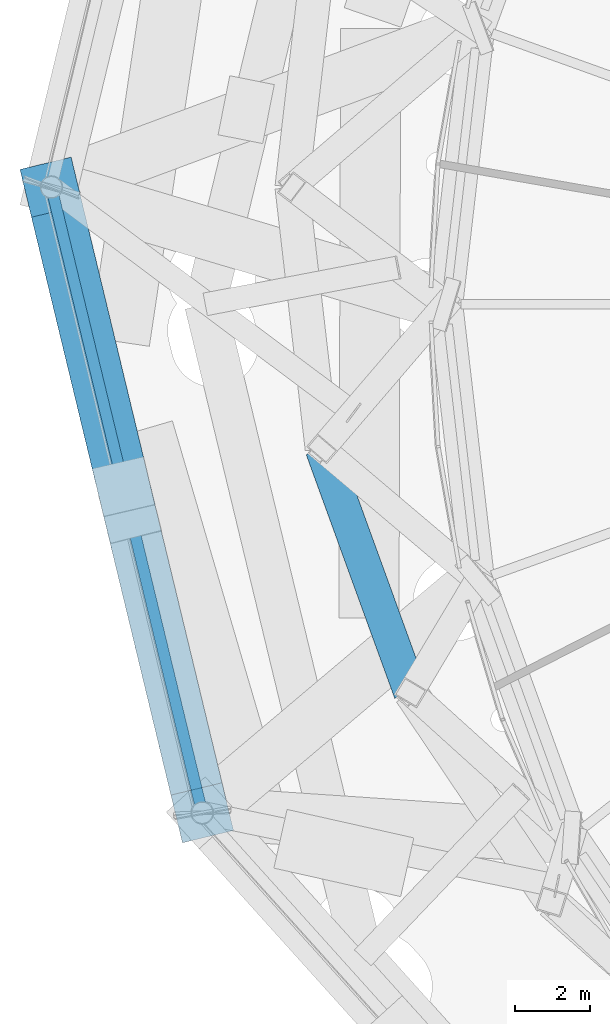
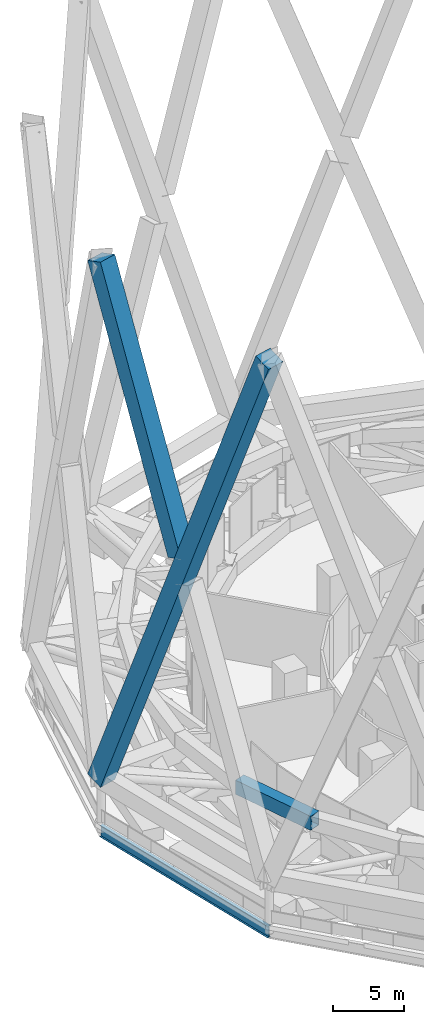
# One storey, part 10 of 60: 2 beams, 2 members.
"""IFC4 building model written with IfcOpenShell, lengths in metres."""

import ifcopenshell
import ifcopenshell.guid

model = None  # the IFC model being written
_history = None  # IfcOwnerHistory: only IFC2X3 demands one
_inside = {}  # id of a spatial element -> (the spatial element, [elements in it])
_under = {}  # id of a project, library or spatial element -> (it, [spatial elements below it])
_declared = {}  # id of a project -> (the project, [libraries it declares])
_typed = {}  # id of a type object -> (the type object, [elements of that type])
_made_of = {}  # id of a material, layer set ... -> (it, [elements and type objects made of it])


def new_model(schema):
    """Start an empty IFC model of exactly this schema.

    Asked for "IFC4X3", IfcOpenShell would pick the latest addendum, in which some entities
    have other attributes; the version numbers below select the first issue.
    IFC2X3 requires an IfcOwnerHistory on every rooted entity: one is made here for all.
    """
    global model, _history
    if schema == "IFC4X3":
        model = ifcopenshell.file(schema_version=(4, 3, 0, 0))
    else:
        model = ifcopenshell.file(schema=schema)
    _inside.clear()
    _under.clear()
    _declared.clear()
    _typed.clear()
    _made_of.clear()
    _history = None
    if model.schema == "IFC2X3":
        org = make("IfcOrganization", Name="unknown")
        user = make(
            "IfcPersonAndOrganization",
            ThePerson=make("IfcPerson", FamilyName="unknown"),
            TheOrganization=org,
        )
        app = make(
            "IfcApplication",
            ApplicationDeveloper=org,
            Version="unknown",
            ApplicationFullName="unknown",
            ApplicationIdentifier="unknown",
        )
        _history = make(
            "IfcOwnerHistory",
            OwningUser=user,
            OwningApplication=app,
            ChangeAction="ADDED",
            CreationDate=0,
        )
    return model


def make(cls, **values):
    """One entity of the class cls with the attributes given. An attribute that is None is left unset."""
    return model.create_entity(
        cls, **{name: value for name, value in values.items() if value is not None}
    )


def rooted(cls, **values):
    """An entity with a GlobalId (a new one), such as an element, a storey or a relation."""
    return make(cls, GlobalId=ifcopenshell.guid.new(), OwnerHistory=_history, **values)


def si_unit(unit_type, name, prefix=None):
    """IfcSIUnit, for example si_unit("LENGTHUNIT", "METRE", prefix="MILLI")."""
    return make("IfcSIUnit", UnitType=unit_type, Prefix=prefix, Name=name)


def assignment(units):
    """IfcUnitAssignment: the units of a project."""
    return None if units is None else make("IfcUnitAssignment", Units=units)


def point(xyz):
    """IfcCartesianPoint."""
    return None if xyz is None else make("IfcCartesianPoint", Coordinates=xyz)


def direction(xyz):
    """IfcDirection."""
    return None if xyz is None else make("IfcDirection", DirectionRatios=xyz)


def frame(location, z_axis=None, x_axis=None):
    """IfcAxis2Placement3D, a coordinate frame: its origin and axes. An axis left out is left unset."""
    return make(
        "IfcAxis2Placement3D",
        Location=point(location),
        Axis=direction(z_axis),
        RefDirection=direction(x_axis),
    )


def frame_2d(location, x_axis=None):
    """IfcAxis2Placement2D, a coordinate frame in the plane: its origin and x axis."""
    return make(
        "IfcAxis2Placement2D", Location=point(location), RefDirection=direction(x_axis)
    )


def origin():
    """The frame at (0, 0, 0) with its axes left unset."""
    return frame((0.0, 0.0, 0.0))


def origin_2d():
    """The frame at (0, 0) in the plane with its x axis left unset."""
    return frame_2d((0.0, 0.0))


def place(relative_to, where):
    """IfcLocalPlacement: puts the frame where relative to a parent placement (None: the world)."""
    return make(
        "IfcLocalPlacement", PlacementRelTo=relative_to, RelativePlacement=where
    )


def context(
    kind, dimensions, precision=None, world=None, true_north=None, identifier=None
):
    """IfcGeometricRepresentationContext, for example the 3D "Model" context."""
    return make(
        "IfcGeometricRepresentationContext",
        ContextIdentifier=identifier,
        ContextType=kind,
        CoordinateSpaceDimension=dimensions,
        Precision=precision,
        WorldCoordinateSystem=world,
        TrueNorth=true_north,
    )


def subcontext(parent, identifier, kind, view, scale=None):
    """IfcGeometricRepresentationSubContext, for example "Body" below "Model"."""
    return make(
        "IfcGeometricRepresentationSubContext",
        ContextIdentifier=identifier,
        ContextType=kind,
        ParentContext=parent,
        TargetScale=scale,
        TargetView=view,
    )


def project(units=None, contexts=None):
    """IfcProject with its units and contexts."""
    return rooted(
        "IfcProject",
        Name="project",
        RepresentationContexts=contexts,
        UnitsInContext=assignment(units),
    )


def spatial(cls, under=None, at=None, **own):
    """A site, building, storey or space (cls), placed at a placement, below another one or the project."""
    s = rooted(cls, ObjectPlacement=at, **own)
    if under is not None:
        _under.setdefault(under.id(), (under, []))[1].append(s)
    return s


def profile(cls, at=None, kind="AREA", **sizes):
    """A parametric profile (cls). Its sizes go by their IFC names, for example OverallWidth=200.0."""
    return make(cls, ProfileType=kind, Position=at, **sizes)


def rectangle(**sizes):
    """IfcRectangleProfileDef."""
    return profile("IfcRectangleProfileDef", **sizes)


def hollow_rectangle(**sizes):
    """IfcRectangleHollowProfileDef."""
    return profile("IfcRectangleHollowProfileDef", **sizes)


def i_section(**sizes):
    """IfcIShapeProfileDef."""
    return profile("IfcIShapeProfileDef", **sizes)


def extrude(swept, where, along, depth):
    """IfcExtrudedAreaSolid: the profile swept, set in the frame where, extruded along a direction by depth."""
    return make(
        "IfcExtrudedAreaSolid",
        SweptArea=swept,
        Position=where,
        ExtrudedDirection=direction(along),
        Depth=depth,
    )


def shape(context_of_items, identifier, shape_type, items):
    """IfcShapeRepresentation: the items that make up one representation, for example the "Body"."""
    return make(
        "IfcShapeRepresentation",
        ContextOfItems=context_of_items,
        RepresentationIdentifier=identifier,
        RepresentationType=shape_type,
        Items=items,
    )


def material(Name=None, Category=None):
    """IfcMaterial."""
    return make("IfcMaterial", Name=Name, Category=Category)


def material_profile(
    of_material, cross_section, Name=None, Category=None, Priority=None
):
    """IfcMaterialProfile: a cross section and its material."""
    return make(
        "IfcMaterialProfile",
        Name=Name,
        Material=of_material,
        Profile=cross_section,
        Priority=Priority,
        Category=Category,
    )


def profile_set(profiles, Name=None, composite=None):
    """IfcMaterialProfileSet."""
    return make(
        "IfcMaterialProfileSet",
        Name=Name,
        MaterialProfiles=profiles,
        CompositeProfile=composite,
    )


def made_of(thing, what):
    """Note that an element or type object is made of a material, layer set ...; save() writes the relation."""
    if what is not None:
        _made_of.setdefault(what.id(), (what, []))[1].append(thing)
    return thing


def type_object(cls, material=None, **own):
    """A type object (cls), such as IfcWallType, which elements share."""
    return made_of(rooted(cls, **own), material)


def element(
    cls,
    number,
    at=None,
    inside=None,
    cuts=None,
    type_object=None,
    material=None,
    context=None,
    identifier="Body",
    shape_type=None,
    held_by="IfcProductDefinitionShape",
    body=None,
    shapes=None,
    **own,
):
    """One element of the class cls, such as IfcWall. Its Tag is "e" and its number.

    at: its placement. inside: the storey or other place that contains it. cuts: it is an
    opening in that element (IfcRelVoidsElement). A single representation is given by context,
    identifier, shape_type and body (its items); several are given by shapes. held_by: the class
    of the entity that holds the representations. save() writes the other relations.
    """
    e = rooted(cls, Tag="e%d" % number, ObjectPlacement=at, **own)
    if body is not None:
        shapes = [shape(context, identifier, shape_type, body)]
    if shapes is not None:
        e.Representation = make(held_by, Representations=shapes)
    if inside is not None:
        _inside.setdefault(inside.id(), (inside, []))[1].append(e)
    if cuts is not None:
        rooted(
            "IfcRelVoidsElement", RelatingBuildingElement=cuts, RelatedOpeningElement=e
        )
    if type_object is not None:
        _typed.setdefault(type_object.id(), (type_object, []))[1].append(e)
    return made_of(e, material)


def aggregate(whole, parts):
    """IfcRelAggregates: a whole, such as a stair, and the parts it consists of."""
    return rooted("IfcRelAggregates", RelatingObject=whole, RelatedObjects=parts)


def save(model, path):
    """Write the relations noted so far, then the file.

    IfcRelAggregates (storeys below a building ...), IfcRelContainedInSpatialStructure (elements
    in a storey), IfcRelDefinesByType, IfcRelAssociatesMaterial and IfcRelDeclares: one each for
    every whole, place, type object, material and project.
    """
    for whole, parts in _under.values():
        aggregate(whole, parts)
    for where, things in _inside.values():
        rooted(
            "IfcRelContainedInSpatialStructure",
            RelatedElements=things,
            RelatingStructure=where,
        )
    for kind, things in _typed.values():
        rooted("IfcRelDefinesByType", RelatedObjects=things, RelatingType=kind)
    for what, things in _made_of.values():
        rooted("IfcRelAssociatesMaterial", RelatedObjects=things, RelatingMaterial=what)
    for by, libraries in _declared.values():
        rooted("IfcRelDeclares", RelatingContext=by, RelatedDefinitions=libraries)
    model.write(path)


model = new_model("IFC4")

# Units and contexts
model_context = context("Model", 3, precision=1e-05, world=origin(), true_north=direction((0.0, 1.0)))
body_context = subcontext(model_context, "Body", "Model", "MODEL_VIEW")
ifc_project = project(units=[si_unit("LENGTHUNIT", "METRE"), si_unit("AREAUNIT", "SQUARE_METRE"), si_unit("VOLUMEUNIT", "CUBIC_METRE"), si_unit("PLANEANGLEUNIT", "RADIAN"), si_unit("MASSUNIT", "GRAM", prefix="KILO")], contexts=[model_context])

# Site, building, storey
site_placement = place(None, origin())
site = spatial("IfcSite", under=ifc_project, at=site_placement, CompositionType="ELEMENT")
building_placement = place(site_placement, origin())
building = spatial("IfcBuilding", under=site, at=building_placement, Name="Nagisa Residences", CompositionType="ELEMENT")
storey_placement = place(building_placement, frame((0.0, 0.0, 206.60009765625)))
storey = spatial("IfcBuildingStorey", under=building, at=storey_placement, Name="L52", CompositionType="ELEMENT", Elevation=206.60009765625)

# Beam
ifc_material_1 = material(Name="Steel ASTM A572 Gr 50", Category="steel")
ifc_material_profile_1 = material_profile(ifc_material_1, hollow_rectangle(XDim=0.89990234375, YDim=1.199951171875, WallThickness=0.044921875, at=origin_2d()), Name="BX 900x1200x45")
ifc_profile_set_1 = profile_set([ifc_material_profile_1], Name="Steel ASTM A572 Gr 50")
beam_type_1 = type_object("IfcBeamType", Name="Belt chord 4 BX 900x1200x45", PredefinedType="BEAM", material=ifc_profile_set_1)
beam_1_placement = place(storey_placement, frame((-24.56689453125, -3.842041015625, 4.739990234375), z_axis=(0.341285604101, -0.939959646173, 0.0), x_axis=(0.939959646173, 0.341285604101, 0.0)))
element("IfcBeam", 1, at=beam_1_placement, inside=storey, type_object=beam_type_1, Name="beam:L52:bt4t14", PredefinedType="BEAM", context=body_context, shape_type="SweptSolid", body=[
    extrude(hollow_rectangle(XDim=0.89990234375, YDim=1.199951171875, WallThickness=0.044921875, at=origin_2d()), origin(), (0.0, 0.0, 1.0), 6.899658203125),
])

# Members
ifc_material_2 = material(Name="Concrete C80", Category="concrete")
ifc_material_profile_2 = material_profile(ifc_material_2, rectangle(XDim=1.39990234375, YDim=1.39990234375, at=origin_2d()), Name="C80 1400x1400")
ifc_profile_set_2 = profile_set([ifc_material_profile_2], Name="Concrete C80")
member_type = type_object("IfcMemberType", Name="Cage diagonal 5 C80 1400x1400", PredefinedType="BRACE", material=ifc_profile_set_2)
member_1_placement = place(storey_placement, frame((-31.77001953125, 3.11767578125, 3.699951171875), z_axis=(0.084209237685, -0.349095063048, 0.933296009444), x_axis=(0.972117187205, 0.234495574244, 0.0)))
element("IfcMember", 2, at=member_1_placement, inside=storey, type_object=member_type, Name="mem:L52:cg5d013", PredefinedType="BRACE", context=body_context, shape_type="SweptSolid", body=[
    extrude(rectangle(XDim=1.39990234375, YDim=1.39990234375, at=origin_2d()), origin(), (0.0, 0.0, 1.0), 47.680419921875),
])
member_2_placement = place(storey_placement, frame((-29.8486328125, -4.84716796875, 26.90576171875), z_axis=(-0.084211999338, 0.349089233341, 0.933297940817), x_axis=(-0.972114541375, -0.234506542442, 0.0)))
element("IfcMember", 3, at=member_2_placement, inside=storey, type_object=member_type, Name="mem:L52:cg5d014b", PredefinedType="BRACE", context=body_context, shape_type="SweptSolid", body=[
    extrude(rectangle(XDim=1.39990234375, YDim=1.39990234375, at=origin_2d()), origin(), (0.0, 0.0, 1.0), 22.816162109375),
])

# Beam
ifc_material_3 = material(Name="Steel ASTM A572 Gr 50", Category="steel")
ifc_material_profile_3 = material_profile(ifc_material_3, i_section(OverallWidth=0.300048828125, OverallDepth=0.97998046875, WebThickness=0.0166015625, FlangeThickness=0.02587890625, at=origin_2d()), Name="W1000x249")
ifc_profile_set_3 = profile_set([ifc_material_profile_3], Name="Steel ASTM A572 Gr 50")
beam_type_2 = type_object("IfcBeamType", Name="Deck edge beam W1000x249", PredefinedType="BEAM", material=ifc_profile_set_3)
beam_2_placement = place(storey_placement, frame((-31.77001953125, 3.11767578125, -0.89013671875), z_axis=(0.234495574244, -0.972117187205, 0.0), x_axis=(0.972117187205, 0.234495574244, 0.0)))
element("IfcBeam", 4, at=beam_2_placement, inside=storey, type_object=beam_type_2, Name="beam:L52:deckedge07", PredefinedType="BEAM", context=body_context, shape_type="SweptSolid", body=[
    extrude(i_section(OverallWidth=0.300048828125, OverallDepth=0.97998046875, WebThickness=0.0166015625, FlangeThickness=0.02587890625, at=origin_2d()), origin(), (0.0, 0.0, 1.0), 17.12255859375),
])

save(model, "model.ifc")
